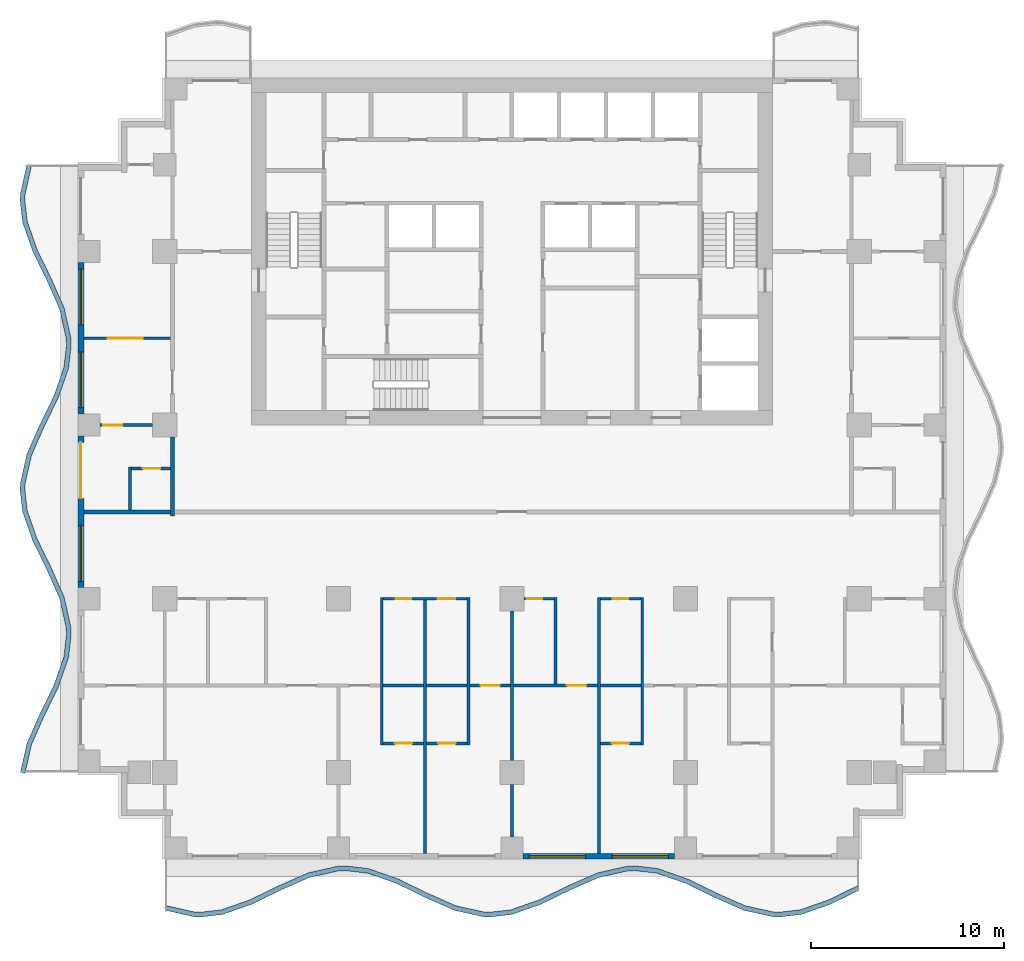
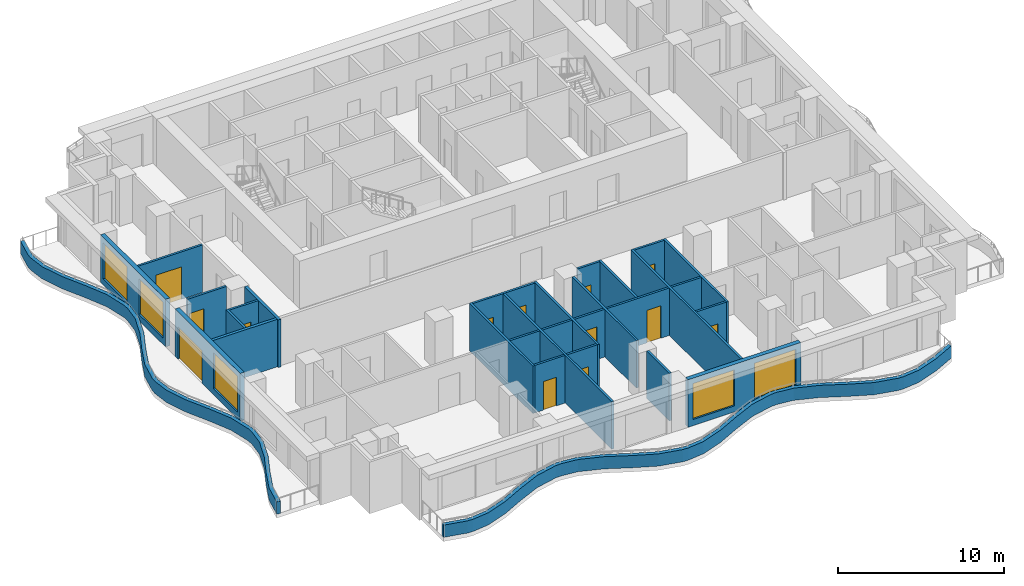
# One storey, part 2 of 10: 30 walls, 13 doors, 5 windows, 18 openings.
"""IFC4 building model written with IfcOpenShell, lengths in metres."""

from ifc_helpers import new_model, si_unit, direction, frame, frame_2d, origin, place, context, subcontext, project, spatial, polyline, rectangle, outline, extrude, material, layer, layer_set, type_object, element, fill, save


model = new_model("IFC4")

# Units and contexts
model_context = context("Model", 3, precision=1e-05, world=origin(), true_north=direction((0.0, 1.0)))
body_context = subcontext(model_context, "Body", "Model", "MODEL_VIEW")
ifc_project = project(units=[si_unit("LENGTHUNIT", "METRE"), si_unit("AREAUNIT", "SQUARE_METRE"), si_unit("VOLUMEUNIT", "CUBIC_METRE"), si_unit("PLANEANGLEUNIT", "RADIAN"), si_unit("MASSUNIT", "GRAM", prefix="KILO")], contexts=[model_context])

# Site, building, storey
site_placement = place(None, origin())
site = spatial("IfcSite", under=ifc_project, at=site_placement, CompositionType="ELEMENT")
building_placement = place(site_placement, origin())
building = spatial("IfcBuilding", under=site, at=building_placement, Name="Orbiselva Terraces", CompositionType="ELEMENT")
storey_placement = place(building_placement, frame((0.0, 0.0, 147.8)))
storey = spatial("IfcBuildingStorey", under=building, at=storey_placement, Name="L37", CompositionType="ELEMENT", Elevation=147.8)

# Walls
ifc_material_1 = material(Name="Concrete C40/50", Category="concrete")
ifc_layer_1 = layer(ifc_material_1, 0.25)
ifc_layer_set_1 = layer_set([ifc_layer_1], Name="Concrete C40/50")
wall_type_1 = type_object("IfcWallType", Name="ENV-PLANTER-250x900", PredefinedType="USERDEFINED", material=ifc_layer_set_1)
wall_1_placement = place(storey_placement, origin())
element("IfcWall", 1, at=wall_1_placement, inside=storey, type_object=wall_type_1, Name="Balcony planter L37 S", ObjectType="PLANTER", PredefinedType="USERDEFINED", context=body_context, shape_type="SweptSolid", body=[
    extrude(outline(polyline([(-18.0, -20.648528), (-16.5, -20.985226), (-16.125, -21.0), (-15.0, -20.869208), (-13.5, -20.344789), (-12.0, -19.612279), (-10.5, -18.951472), (-9.0, -18.614774), (-8.625, -18.6), (-7.5, -18.730792), (-6.0, -19.255211), (-4.5, -19.987721), (-3.0, -20.648528), (-1.5, -20.985226), (-1.125, -21.0), (0.0, -20.869208), (1.5, -20.344789), (3.0, -19.612279), (4.5, -18.951472), (6.0, -18.614774), (6.375, -18.6), (7.5, -18.730792), (9.0, -19.255211), (10.5, -19.987721), (12.0, -20.648528), (13.5, -20.985226), (13.875, -21.0), (15.0, -20.869208), (16.5, -20.344789), (18.0, -19.612279), (17.890297, -19.387634), (16.40356, -20.113667), (14.943629, -20.624078), (13.865428, -20.749429), (13.532565, -20.736315), (12.078508, -20.40993), (10.605286, -19.760919), (9.09644, -19.024089), (7.556371, -18.485662), (6.384572, -18.349429), (5.967435, -18.365863), (4.421492, -18.712874), (2.894714, -19.385477), (1.40356, -20.113667), (-0.056371, -20.624078), (-1.134572, -20.749429), (-1.467435, -20.736315), (-2.921492, -20.40993), (-4.394714, -19.760919), (-5.90356, -19.024089), (-7.443629, -18.485662), (-8.615428, -18.349429), (-9.032565, -18.365863), (-10.578508, -18.712874), (-12.105286, -19.385477), (-13.59644, -20.113667), (-15.056371, -20.624078), (-16.134572, -20.749429), (-16.467435, -20.736315), (-17.945246, -20.404598), (-18.0, -20.648528)])), origin(), (0.0, 0.0, 1.0), 0.9),
])
wall_2_placement = place(storey_placement, origin())
element("IfcWall", 2, at=wall_2_placement, inside=storey, type_object=wall_type_1, Name="Balcony planter L37 W", ObjectType="PLANTER", PredefinedType="USERDEFINED", context=body_context, shape_type="SweptSolid", body=[
    extrude(outline(polyline([(-25.148528, 18.0), (-25.485226, 16.5), (-25.5, 16.125), (-25.369208, 15.0), (-24.844789, 13.5), (-24.112279, 12.0), (-23.451472, 10.5), (-23.114774, 9.0), (-23.1, 8.625), (-23.230792, 7.5), (-23.755211, 6.0), (-24.487721, 4.5), (-25.148528, 3.0), (-25.485226, 1.5), (-25.5, 1.125), (-25.369208, 0.0), (-24.844789, -1.5), (-24.112279, -3.0), (-23.451472, -4.5), (-23.114774, -6.0), (-23.1, -6.375), (-23.230792, -7.5), (-23.755211, -9.0), (-24.487721, -10.5), (-25.148528, -12.0), (-25.485226, -13.5), (-25.241296, -13.554754), (-24.90993, -12.078508), (-24.260919, -10.605286), (-23.524089, -9.09644), (-22.985662, -7.556371), (-22.849429, -6.384572), (-22.865863, -5.967435), (-23.212874, -4.421492), (-23.885477, -2.894714), (-24.613667, -1.40356), (-25.124078, 0.056371), (-25.249429, 1.134572), (-25.236315, 1.467435), (-24.90993, 2.921492), (-24.260919, 4.394714), (-23.524089, 5.90356), (-22.985662, 7.443629), (-22.849429, 8.615428), (-22.865863, 9.032565), (-23.212874, 10.578508), (-23.885477, 12.105286), (-24.613667, 13.59644), (-25.124078, 15.056371), (-25.249429, 16.134572), (-25.236315, 16.467435), (-24.904598, 17.945246), (-25.148528, 18.0)])), origin(), (0.0, 0.0, 1.0), 0.9),
])

# Wall, openings, windows
ifc_material_2 = material(Name="Terracotta cladding on masonry backing", Category="masonry")
ifc_layer_2 = layer(ifc_material_2, 0.3)
ifc_layer_set_2 = layer_set([ifc_layer_2], Name="Terracotta cladding on masonry backing")
wall_type_2 = type_object("IfcWallType", Name="ENV-WALL-TERRACOTTA-300", PredefinedType="SOLIDWALL", material=ifc_layer_set_2)
wall_3_placement = place(storey_placement, frame((8.425, -17.85, 0.0), z_axis=(0.0, 0.0, 1.0), x_axis=(-1.0, 0.0, 0.0)))
wall_3 = element("IfcWall", 3, at=wall_3_placement, inside=storey, type_object=wall_type_2, Name="Facade wall L37 S", PredefinedType="SOLIDWALL", context=body_context, shape_type="SweptSolid", body=[
    extrude(rectangle(XDim=7.85, YDim=0.3, at=frame_2d((3.925, 0.0))), origin(), (0.0, 0.0, 1.0), 3.5),
])
opening_1_placement = place(wall_3_placement, frame((4.625, 0.0, 0.45)))
opening_1 = element("IfcOpeningElement", 4, at=opening_1_placement, cuts=wall_3, Name="Opening WN8", PredefinedType="OPENING", context=body_context, shape_type="SweptSolid", body=[
    extrude(rectangle(XDim=2.9, YDim=2.65, at=frame_2d((1.45, 1.325))), frame((0.0, 0.16, 0.0), z_axis=(0.0, -1.0, 0.0), x_axis=(1.0, 0.0, 0.0)), (0.0, 0.0, 1.0), 0.32),
])
opening_2_placement = place(wall_3_placement, frame((0.325, 0.0, 0.45)))
opening_2 = element("IfcOpeningElement", 5, at=opening_2_placement, cuts=wall_3, Name="Opening WN8", PredefinedType="OPENING", context=body_context, shape_type="SweptSolid", body=[
    extrude(rectangle(XDim=2.9, YDim=2.65, at=frame_2d((1.45, 1.325))), frame((0.0, 0.16, 0.0), z_axis=(0.0, -1.0, 0.0), x_axis=(1.0, 0.0, 0.0)), (0.0, 0.0, 1.0), 0.32),
])
ifc_material_3 = material(Name="Clear low-e glazing in aluminium frame", Category="aluminium")
window_type = type_object("IfcWindowType", Name="WINDOW 2900 X 2650 S450", PartitioningType="TRIPLE_PANEL_VERTICAL", PredefinedType="WINDOW", material=ifc_material_3)
window_1_placement = place(opening_1_placement, origin())
window_1 = element("IfcWindow", 6, at=window_1_placement, inside=storey, type_object=window_type, Name="Window L37 S", OverallHeight=2.65, OverallWidth=2.9, PartitioningType="SINGLE_PANEL", PredefinedType="WINDOW", context=body_context, shape_type="SweptSolid", body=[
    extrude(rectangle(XDim=2.9, YDim=2.65, at=frame_2d((1.45, 1.325))), frame((0.0, 0.03, 0.0), z_axis=(0.0, -1.0, 0.0), x_axis=(1.0, 0.0, 0.0)), (0.0, 0.0, 1.0), 0.06),
])
fill(opening_1, window_1)
window_2_placement = place(opening_2_placement, origin())
window_2 = element("IfcWindow", 7, at=window_2_placement, inside=storey, type_object=window_type, Name="Window L37 S", OverallHeight=2.65, OverallWidth=2.9, PartitioningType="SINGLE_PANEL", PredefinedType="WINDOW", context=body_context, shape_type="SweptSolid", body=[
    extrude(rectangle(XDim=2.9, YDim=2.65, at=frame_2d((1.45, 1.325))), frame((0.0, 0.03, 0.0), z_axis=(0.0, -1.0, 0.0), x_axis=(1.0, 0.0, 0.0)), (0.0, 0.0, 1.0), 0.06),
])
fill(opening_2, window_2)

wall_4_placement = place(storey_placement, frame((-22.35, 5.075, 0.0), z_axis=(0.0, 0.0, 1.0), x_axis=(0.0, 1.0, 0.0)))
wall_4 = element("IfcWall", 8, at=wall_4_placement, inside=storey, type_object=wall_type_2, Name="Facade wall L37 W", PredefinedType="SOLIDWALL", context=body_context, shape_type="SweptSolid", body=[
    extrude(rectangle(XDim=7.85, YDim=0.3, at=frame_2d((3.925, 0.0))), origin(), (0.0, 0.0, 1.0), 3.5),
])
opening_3_placement = place(wall_4_placement, frame((4.625, 0.0, 0.45)))
opening_3 = element("IfcOpeningElement", 9, at=opening_3_placement, cuts=wall_4, Name="Opening WN8", PredefinedType="OPENING", context=body_context, shape_type="SweptSolid", body=[
    extrude(rectangle(XDim=2.9, YDim=2.65, at=frame_2d((1.45, 1.325))), frame((0.0, 0.16, 0.0), z_axis=(0.0, -1.0, 0.0), x_axis=(1.0, 0.0, 0.0)), (0.0, 0.0, 1.0), 0.32),
])
opening_4_placement = place(wall_4_placement, frame((0.325, 0.0, 0.45)))
opening_4 = element("IfcOpeningElement", 10, at=opening_4_placement, cuts=wall_4, Name="Opening WN8", PredefinedType="OPENING", context=body_context, shape_type="SweptSolid", body=[
    extrude(rectangle(XDim=2.9, YDim=2.65, at=frame_2d((1.45, 1.325))), frame((0.0, 0.16, 0.0), z_axis=(0.0, -1.0, 0.0), x_axis=(1.0, 0.0, 0.0)), (0.0, 0.0, 1.0), 0.32),
])
window_3_placement = place(opening_3_placement, origin())
window_3 = element("IfcWindow", 11, at=window_3_placement, inside=storey, type_object=window_type, Name="Window L37 W", OverallHeight=2.65, OverallWidth=2.9, PartitioningType="SINGLE_PANEL", PredefinedType="WINDOW", context=body_context, shape_type="SweptSolid", body=[
    extrude(rectangle(XDim=2.9, YDim=2.65, at=frame_2d((1.45, 1.325))), frame((0.0, 0.03, 0.0), z_axis=(0.0, -1.0, 0.0), x_axis=(1.0, 0.0, 0.0)), (0.0, 0.0, 1.0), 0.06),
])
fill(opening_3, window_3)
window_4_placement = place(opening_4_placement, origin())
window_4 = element("IfcWindow", 12, at=window_4_placement, inside=storey, type_object=window_type, Name="Window L37 W", OverallHeight=2.65, OverallWidth=2.9, PartitioningType="SINGLE_PANEL", PredefinedType="WINDOW", context=body_context, shape_type="SweptSolid", body=[
    extrude(rectangle(XDim=2.9, YDim=2.65, at=frame_2d((1.45, 1.325))), frame((0.0, 0.03, 0.0), z_axis=(0.0, -1.0, 0.0), x_axis=(1.0, 0.0, 0.0)), (0.0, 0.0, 1.0), 0.06),
])
fill(opening_4, window_4)

# Wall, openings, door, window
wall_5_placement = place(storey_placement, frame((-22.35, -3.925, 0.0), z_axis=(0.0, 0.0, 1.0), x_axis=(0.0, 1.0, 0.0)))
wall_5 = element("IfcWall", 13, at=wall_5_placement, inside=storey, type_object=wall_type_2, Name="Facade wall L37 W", PredefinedType="SOLIDWALL", context=body_context, shape_type="SweptSolid", body=[
    extrude(rectangle(XDim=7.85, YDim=0.3, at=frame_2d((3.925, 0.0))), origin(), (0.0, 0.0, 1.0), 3.5),
])
opening_5_placement = place(wall_5_placement, frame((4.625, 0.0, 0.0)))
opening_5 = element("IfcOpeningElement", 14, at=opening_5_placement, cuts=wall_5, Name="Opening Z3-C-E11", PredefinedType="OPENING", context=body_context, shape_type="SweptSolid", body=[
    extrude(rectangle(XDim=2.9, YDim=2.4, at=frame_2d((1.45, 1.2))), frame((0.0, 0.16, 0.0), z_axis=(0.0, -1.0, 0.0), x_axis=(1.0, 0.0, 0.0)), (0.0, 0.0, 1.0), 0.32),
])
opening_6_placement = place(wall_5_placement, frame((0.325, 0.0, 0.45)))
opening_6 = element("IfcOpeningElement", 15, at=opening_6_placement, cuts=wall_5, Name="Opening WN8", PredefinedType="OPENING", context=body_context, shape_type="SweptSolid", body=[
    extrude(rectangle(XDim=2.9, YDim=2.65, at=frame_2d((1.45, 1.325))), frame((0.0, 0.16, 0.0), z_axis=(0.0, -1.0, 0.0), x_axis=(1.0, 0.0, 0.0)), (0.0, 0.0, 1.0), 0.32),
])
door_type_1 = type_object("IfcDoorType", Name="BALCONY DOOR 2900 X 2400", OperationType="DOUBLE_DOOR_SLIDING", PredefinedType="DOOR", material=ifc_material_3)
door_1_placement = place(opening_5_placement, origin())
door_1 = element("IfcDoor", 16, at=door_1_placement, inside=storey, type_object=door_type_1, Name="Z3-C-E11", OperationType="SINGLE_SWING_LEFT", OverallHeight=2.4, OverallWidth=2.9, PredefinedType="DOOR", context=body_context, shape_type="SweptSolid", body=[
    extrude(rectangle(XDim=2.9, YDim=2.4, at=frame_2d((1.45, 1.2))), frame((0.0, 0.025, 0.0), z_axis=(0.0, -1.0, 0.0), x_axis=(1.0, 0.0, 0.0)), (0.0, 0.0, 1.0), 0.05),
])
fill(opening_5, door_1)
window_5_placement = place(opening_6_placement, origin())
window_5 = element("IfcWindow", 17, at=window_5_placement, inside=storey, type_object=window_type, Name="Window L37 W", OverallHeight=2.65, OverallWidth=2.9, PartitioningType="SINGLE_PANEL", PredefinedType="WINDOW", context=body_context, shape_type="SweptSolid", body=[
    extrude(rectangle(XDim=2.9, YDim=2.65, at=frame_2d((1.45, 1.325))), frame((0.0, 0.03, 0.0), z_axis=(0.0, -1.0, 0.0), x_axis=(1.0, 0.0, 0.0)), (0.0, 0.0, 1.0), 0.06),
])
fill(opening_6, window_5)

# Wall
ifc_material_4 = material(Name="Plasterboard on steel stud partition", Category="steel")
ifc_layer_3 = layer(ifc_material_4, 0.2)
ifc_layer_set_3 = layer_set([ifc_layer_3], Name="Plasterboard on steel stud partition")
wall_type_3 = type_object("IfcWallType", Name="UNIT-ENTRANCE-WALL-200", PredefinedType="PARTITIONING", material=ifc_layer_set_3)
wall_6_placement = place(storey_placement, frame((-17.6, -0.2, 0.0), z_axis=(0.0, 0.0, 1.0), x_axis=(0.0, 1.0, 0.0)))
element("IfcWall", 18, at=wall_6_placement, inside=storey, type_object=wall_type_3, Name="PARTITION L37-038", PredefinedType="PARTITIONING", context=body_context, shape_type="SweptSolid", body=[
    extrude(rectangle(XDim=4.075, YDim=0.2, at=frame_2d((2.0375, 0.0))), origin(), (0.0, 0.0, 1.0), 3.5),
])

# Wall, opening, door
ifc_layer_4 = layer(ifc_material_4, 0.15)
ifc_layer_set_4 = layer_set([ifc_layer_4], Name="Plasterboard on steel stud partition")
wall_type_4 = type_object("IfcWallType", Name="UNIT-PARTITION-150", PredefinedType="PARTITIONING", material=ifc_layer_set_4)
wall_7_placement = place(storey_placement, frame((-6.675, -12.0, 0.0), z_axis=(0.0, 0.0, 1.0), x_axis=(1.0, 0.0, 0.0)))
wall_7 = element("IfcWall", 19, at=wall_7_placement, inside=storey, type_object=wall_type_4, Name="PARTITION L37-001", PredefinedType="PARTITIONING", context=body_context, shape_type="SweptSolid", body=[
    extrude(rectangle(XDim=2.1, YDim=0.15, at=frame_2d((1.05, 0.0))), origin(), (0.0, 0.0, 1.0), 3.5),
])
opening_7_placement = place(wall_7_placement, frame((0.6, 0.0, 0.0)))
opening_7 = element("IfcOpeningElement", 20, at=opening_7_placement, cuts=wall_7, Name="Opening Z3-C-32", PredefinedType="OPENING", context=body_context, shape_type="SweptSolid", body=[
    extrude(rectangle(XDim=0.9, YDim=2.1, at=frame_2d((0.45, 1.05))), frame((0.0, 0.085, 0.0), z_axis=(0.0, -1.0, 0.0), x_axis=(1.0, 0.0, 0.0)), (0.0, 0.0, 1.0), 0.17),
])
ifc_material_5 = material(Name="Painted timber door leaf", Category="wood")
door_type_2 = type_object("IfcDoorType", Name="BATH DOOR 900", OperationType="NOTDEFINED", PredefinedType="DOOR", material=ifc_material_5)
door_2_placement = place(opening_7_placement, origin())
door_2 = element("IfcDoor", 21, at=door_2_placement, inside=storey, type_object=door_type_2, Name="Z3-C-32", OperationType="SINGLE_SWING_LEFT", OverallHeight=2.1, OverallWidth=0.9, PredefinedType="DOOR", context=body_context, shape_type="SweptSolid", body=[
    extrude(rectangle(XDim=0.9, YDim=2.1, at=frame_2d((0.45, 1.05))), frame((0.0, 0.025, 0.0), z_axis=(0.0, -1.0, 0.0), x_axis=(1.0, 0.0, 0.0)), (0.0, 0.0, 1.0), 0.05),
])
fill(opening_7, door_2)

wall_8_placement = place(storey_placement, frame((-4.425, -12.0, 0.0), z_axis=(0.0, 0.0, 1.0), x_axis=(1.0, 0.0, 0.0)))
wall_8 = element("IfcWall", 22, at=wall_8_placement, inside=storey, type_object=wall_type_4, Name="PARTITION L37-002", PredefinedType="PARTITIONING", context=body_context, shape_type="SweptSolid", body=[
    extrude(rectangle(XDim=2.1, YDim=0.15, at=frame_2d((1.05, 0.0))), origin(), (0.0, 0.0, 1.0), 3.5),
])
opening_8_placement = place(wall_8_placement, frame((0.6, 0.0, 0.0)))
opening_8 = element("IfcOpeningElement", 23, at=opening_8_placement, cuts=wall_8, Name="Opening Z3-C-30", PredefinedType="OPENING", context=body_context, shape_type="SweptSolid", body=[
    extrude(rectangle(XDim=0.9, YDim=2.1, at=frame_2d((0.45, 1.05))), frame((0.0, 0.085, 0.0), z_axis=(0.0, -1.0, 0.0), x_axis=(1.0, 0.0, 0.0)), (0.0, 0.0, 1.0), 0.17),
])
door_3_placement = place(opening_8_placement, origin())
door_3 = element("IfcDoor", 24, at=door_3_placement, inside=storey, type_object=door_type_2, Name="Z3-C-30", OperationType="SINGLE_SWING_RIGHT", OverallHeight=2.1, OverallWidth=0.9, PredefinedType="DOOR", context=body_context, shape_type="SweptSolid", body=[
    extrude(rectangle(XDim=0.9, YDim=2.1, at=frame_2d((0.45, 1.05))), frame((0.0, 0.025, 0.0), z_axis=(0.0, -1.0, 0.0), x_axis=(1.0, 0.0, 0.0)), (0.0, 0.0, 1.0), 0.05),
])
fill(opening_8, door_3)

wall_9_placement = place(storey_placement, frame((4.575, -12.0, 0.0), z_axis=(0.0, 0.0, 1.0), x_axis=(1.0, 0.0, 0.0)))
wall_9 = element("IfcWall", 25, at=wall_9_placement, inside=storey, type_object=wall_type_4, Name="PARTITION L37-003", PredefinedType="PARTITIONING", context=body_context, shape_type="SweptSolid", body=[
    extrude(rectangle(XDim=2.1, YDim=0.15, at=frame_2d((1.05, 0.0))), origin(), (0.0, 0.0, 1.0), 3.5),
])
opening_9_placement = place(wall_9_placement, frame((0.6, 0.0, 0.0)))
opening_9 = element("IfcOpeningElement", 26, at=opening_9_placement, cuts=wall_9, Name="Opening Z3-C-27", PredefinedType="OPENING", context=body_context, shape_type="SweptSolid", body=[
    extrude(rectangle(XDim=0.9, YDim=2.1, at=frame_2d((0.45, 1.05))), frame((0.0, 0.085, 0.0), z_axis=(0.0, -1.0, 0.0), x_axis=(1.0, 0.0, 0.0)), (0.0, 0.0, 1.0), 0.17),
])
door_4_placement = place(opening_9_placement, origin())
door_4 = element("IfcDoor", 27, at=door_4_placement, inside=storey, type_object=door_type_2, Name="Z3-C-27", OperationType="SINGLE_SWING_LEFT", OverallHeight=2.1, OverallWidth=0.9, PredefinedType="DOOR", context=body_context, shape_type="SweptSolid", body=[
    extrude(rectangle(XDim=0.9, YDim=2.1, at=frame_2d((0.45, 1.05))), frame((0.0, 0.025, 0.0), z_axis=(0.0, -1.0, 0.0), x_axis=(1.0, 0.0, 0.0)), (0.0, 0.0, 1.0), 0.05),
])
fill(opening_9, door_4)

# Walls
for number, where, z_axis, x_axis, name in (
    (28, (-6.675, -9.0, 0.0), (0.0, 0.0, 1.0), (1.0, 0.0, 0.0), "PARTITION L37-008"),
    (29, (-4.425, -9.0, 0.0), (0.0, 0.0, 1.0), (1.0, 0.0, 0.0), "PARTITION L37-009"),
):
    element("IfcWall", number, at=place(storey_placement, frame(where, z_axis=z_axis, x_axis=x_axis)), inside=storey, type_object=wall_type_4, Name=name, PredefinedType="PARTITIONING", context=body_context, shape_type="SweptSolid", body=[
        extrude(rectangle(XDim=2.1, YDim=0.15, at=frame_2d((1.05, 0.0))), origin(), (0.0, 0.0, 1.0), 3.5),
    ])

# Wall, opening, door
wall_10_placement = place(storey_placement, frame((-0.075, -9.0, 0.0), z_axis=(0.0, 0.0, 1.0), x_axis=(-1.0, 0.0, 0.0)))
wall_10 = element("IfcWall", 30, at=wall_10_placement, inside=storey, type_object=wall_type_4, Name="PARTITION L37-010", PredefinedType="PARTITIONING", context=body_context, shape_type="SweptSolid", body=[
    extrude(rectangle(XDim=2.1, YDim=0.15, at=frame_2d((1.05, 0.0))), origin(), (0.0, 0.0, 1.0), 3.5),
])
opening_10_placement = place(wall_10_placement, frame((0.55, 0.0, 0.0)))
opening_10 = element("IfcOpeningElement", 31, at=opening_10_placement, cuts=wall_10, Name="Opening Z3-C-29", PredefinedType="OPENING", context=body_context, shape_type="SweptSolid", body=[
    extrude(rectangle(XDim=1.0, YDim=2.4, at=frame_2d((0.5, 1.2))), frame((0.0, 0.085, 0.0), z_axis=(0.0, -1.0, 0.0), x_axis=(1.0, 0.0, 0.0)), (0.0, 0.0, 1.0), 0.17),
])
door_type_3 = type_object("IfcDoorType", Name="ROOM DOOR 1000", OperationType="NOTDEFINED", PredefinedType="DOOR", material=ifc_material_5)
door_5_placement = place(opening_10_placement, origin())
door_5 = element("IfcDoor", 32, at=door_5_placement, inside=storey, type_object=door_type_3, Name="Z3-C-29", OperationType="SINGLE_SWING_RIGHT", OverallHeight=2.4, OverallWidth=1.0, PredefinedType="DOOR", context=body_context, shape_type="SweptSolid", body=[
    extrude(rectangle(XDim=1.0, YDim=2.4, at=frame_2d((0.5, 1.2))), frame((0.0, 0.025, 0.0), z_axis=(0.0, -1.0, 0.0), x_axis=(1.0, 0.0, 0.0)), (0.0, 0.0, 1.0), 0.05),
])
fill(opening_10, door_5)

wall_11_placement = place(storey_placement, frame((4.425, -9.0, 0.0), z_axis=(0.0, 0.0, 1.0), x_axis=(-1.0, 0.0, 0.0)))
wall_11 = element("IfcWall", 33, at=wall_11_placement, inside=storey, type_object=wall_type_4, Name="PARTITION L37-011", PredefinedType="PARTITIONING", context=body_context, shape_type="SweptSolid", body=[
    extrude(rectangle(XDim=4.35, YDim=0.15, at=frame_2d((2.175, 0.0))), origin(), (0.0, 0.0, 1.0), 3.5),
])
opening_11_placement = place(wall_11_placement, frame((0.575, 0.0, 0.0)))
opening_11 = element("IfcOpeningElement", 34, at=opening_11_placement, cuts=wall_11, Name="Opening Z3-C-28", PredefinedType="OPENING", context=body_context, shape_type="SweptSolid", body=[
    extrude(rectangle(XDim=1.0, YDim=2.4, at=frame_2d((0.5, 1.2))), frame((0.0, 0.085, 0.0), z_axis=(0.0, -1.0, 0.0), x_axis=(1.0, 0.0, 0.0)), (0.0, 0.0, 1.0), 0.17),
])
door_6_placement = place(opening_11_placement, origin())
door_6 = element("IfcDoor", 35, at=door_6_placement, inside=storey, type_object=door_type_3, Name="Z3-C-28", OperationType="SINGLE_SWING_LEFT", OverallHeight=2.4, OverallWidth=1.0, PredefinedType="DOOR", context=body_context, shape_type="SweptSolid", body=[
    extrude(rectangle(XDim=1.0, YDim=2.4, at=frame_2d((0.5, 1.2))), frame((0.0, 0.025, 0.0), z_axis=(0.0, -1.0, 0.0), x_axis=(1.0, 0.0, 0.0)), (0.0, 0.0, 1.0), 0.05),
])
fill(opening_11, door_6)

# Wall
wall_12_placement = place(storey_placement, frame((4.575, -9.0, 0.0), z_axis=(0.0, 0.0, 1.0), x_axis=(1.0, 0.0, 0.0)))
element("IfcWall", 36, at=wall_12_placement, inside=storey, type_object=wall_type_4, Name="PARTITION L37-012", PredefinedType="PARTITIONING", context=body_context, shape_type="SweptSolid", body=[
    extrude(rectangle(XDim=2.1, YDim=0.15, at=frame_2d((1.05, 0.0))), origin(), (0.0, 0.0, 1.0), 3.5),
])

# Wall, openings, doors
wall_13_placement = place(storey_placement, frame((-2.325, -4.5, 0.0), z_axis=(0.0, 0.0, 1.0), x_axis=(-1.0, 0.0, 0.0)))
wall_13 = element("IfcWall", 37, at=wall_13_placement, inside=storey, type_object=wall_type_4, Name="PARTITION L37-017", PredefinedType="PARTITIONING", context=body_context, shape_type="SweptSolid", body=[
    extrude(rectangle(XDim=4.35, YDim=0.15, at=frame_2d((2.175, 0.0))), origin(), (0.0, 0.0, 1.0), 3.5),
])
opening_12_placement = place(wall_13_placement, frame((0.625, 0.0, 0.0)))
opening_12 = element("IfcOpeningElement", 38, at=opening_12_placement, cuts=wall_13, Name="Opening Z3-C-18", PredefinedType="OPENING", context=body_context, shape_type="SweptSolid", body=[
    extrude(rectangle(XDim=0.9, YDim=2.1, at=frame_2d((0.45, 1.05))), frame((0.0, 0.085, 0.0), z_axis=(0.0, -1.0, 0.0), x_axis=(1.0, 0.0, 0.0)), (0.0, 0.0, 1.0), 0.17),
])
opening_13_placement = place(wall_13_placement, frame((2.9, 0.0, 0.0)))
opening_13 = element("IfcOpeningElement", 39, at=opening_13_placement, cuts=wall_13, Name="Opening Z3-C-19", PredefinedType="OPENING", context=body_context, shape_type="SweptSolid", body=[
    extrude(rectangle(XDim=0.8, YDim=2.0, at=frame_2d((0.4, 1.0))), frame((0.0, 0.085, 0.0), z_axis=(0.0, -1.0, 0.0), x_axis=(1.0, 0.0, 0.0)), (0.0, 0.0, 1.0), 0.17),
])
door_type_4 = type_object("IfcDoorType", Name="SERVICE DOOR 900", OperationType="NOTDEFINED", PredefinedType="DOOR", material=ifc_material_5)
door_7_placement = place(opening_12_placement, origin())
door_7 = element("IfcDoor", 40, at=door_7_placement, inside=storey, type_object=door_type_4, Name="Z3-C-18", OperationType="SINGLE_SWING_LEFT", OverallHeight=2.1, OverallWidth=0.9, PredefinedType="DOOR", context=body_context, shape_type="SweptSolid", body=[
    extrude(rectangle(XDim=0.9, YDim=2.1, at=frame_2d((0.45, 1.05))), frame((0.0, 0.025, 0.0), z_axis=(0.0, -1.0, 0.0), x_axis=(1.0, 0.0, 0.0)), (0.0, 0.0, 1.0), 0.05),
])
fill(opening_12, door_7)
door_type_5 = type_object("IfcDoorType", Name="STORE DOOR 800", OperationType="NOTDEFINED", PredefinedType="DOOR", material=ifc_material_5)
door_8_placement = place(opening_13_placement, origin())
door_8 = element("IfcDoor", 41, at=door_8_placement, inside=storey, type_object=door_type_5, Name="Z3-C-19", OperationType="SINGLE_SWING_RIGHT", OverallHeight=2.0, OverallWidth=0.8, PredefinedType="DOOR", context=body_context, shape_type="SweptSolid", body=[
    extrude(rectangle(XDim=0.8, YDim=2.0, at=frame_2d((0.4, 1.0))), frame((0.0, 0.025, 0.0), z_axis=(0.0, -1.0, 0.0), x_axis=(1.0, 0.0, 0.0)), (0.0, 0.0, 1.0), 0.05),
])
fill(opening_13, door_8)

# Wall, opening, door
wall_14_placement = place(storey_placement, frame((2.175, -4.5, 0.0), z_axis=(0.0, 0.0, 1.0), x_axis=(-1.0, 0.0, 0.0)))
wall_14 = element("IfcWall", 42, at=wall_14_placement, inside=storey, type_object=wall_type_4, Name="PARTITION L37-018", PredefinedType="PARTITIONING", context=body_context, shape_type="SweptSolid", body=[
    extrude(rectangle(XDim=1.55, YDim=0.15, at=frame_2d((0.775, 0.0))), origin(), (0.0, 0.0, 1.0), 3.5),
])
opening_14_placement = place(wall_14_placement, frame((0.6, 0.0, 0.0)))
opening_14 = element("IfcOpeningElement", 43, at=opening_14_placement, cuts=wall_14, Name="Opening Z3-C-17", PredefinedType="OPENING", context=body_context, shape_type="SweptSolid", body=[
    extrude(rectangle(XDim=0.8, YDim=2.0, at=frame_2d((0.4, 1.0))), frame((0.0, 0.085, 0.0), z_axis=(0.0, -1.0, 0.0), x_axis=(1.0, 0.0, 0.0)), (0.0, 0.0, 1.0), 0.17),
])
door_9_placement = place(opening_14_placement, origin())
door_9 = element("IfcDoor", 44, at=door_9_placement, inside=storey, type_object=door_type_5, Name="Z3-C-17", OperationType="SINGLE_SWING_RIGHT", OverallHeight=2.0, OverallWidth=0.8, PredefinedType="DOOR", context=body_context, shape_type="SweptSolid", body=[
    extrude(rectangle(XDim=0.8, YDim=2.0, at=frame_2d((0.4, 1.0))), frame((0.0, 0.025, 0.0), z_axis=(0.0, -1.0, 0.0), x_axis=(1.0, 0.0, 0.0)), (0.0, 0.0, 1.0), 0.05),
])
fill(opening_14, door_9)

wall_15_placement = place(storey_placement, frame((6.675, -4.5, 0.0), z_axis=(0.0, 0.0, 1.0), x_axis=(-1.0, 0.0, 0.0)))
wall_15 = element("IfcWall", 45, at=wall_15_placement, inside=storey, type_object=wall_type_4, Name="PARTITION L37-019", PredefinedType="PARTITIONING", context=body_context, shape_type="SweptSolid", body=[
    extrude(rectangle(XDim=2.1, YDim=0.15, at=frame_2d((1.05, 0.0))), origin(), (0.0, 0.0, 1.0), 3.5),
])
opening_15_placement = place(wall_15_placement, frame((0.65, 0.0, 0.0)))
opening_15 = element("IfcOpeningElement", 46, at=opening_15_placement, cuts=wall_15, Name="Opening Z3-C-16", PredefinedType="OPENING", context=body_context, shape_type="SweptSolid", body=[
    extrude(rectangle(XDim=0.8, YDim=2.0, at=frame_2d((0.4, 1.0))), frame((0.0, 0.085, 0.0), z_axis=(0.0, -1.0, 0.0), x_axis=(1.0, 0.0, 0.0)), (0.0, 0.0, 1.0), 0.17),
])
door_10_placement = place(opening_15_placement, origin())
door_10 = element("IfcDoor", 47, at=door_10_placement, inside=storey, type_object=door_type_5, Name="Z3-C-16", OperationType="SINGLE_SWING_RIGHT", OverallHeight=2.0, OverallWidth=0.8, PredefinedType="DOOR", context=body_context, shape_type="SweptSolid", body=[
    extrude(rectangle(XDim=0.8, YDim=2.0, at=frame_2d((0.4, 1.0))), frame((0.0, 0.025, 0.0), z_axis=(0.0, -1.0, 0.0), x_axis=(1.0, 0.0, 0.0)), (0.0, 0.0, 1.0), 0.05),
])
fill(opening_15, door_10)

wall_16_placement = place(storey_placement, frame((-17.7, 2.25, 0.0), z_axis=(0.0, 0.0, 1.0), x_axis=(-1.0, 0.0, 0.0)))
wall_16 = element("IfcWall", 48, at=wall_16_placement, inside=storey, type_object=wall_type_4, Name="PARTITION L37-025", PredefinedType="PARTITIONING", context=body_context, shape_type="SweptSolid", body=[
    extrude(rectangle(XDim=2.03, YDim=0.15, at=frame_2d((1.015, 0.0))), origin(), (0.0, 0.0, 1.0), 3.5),
])
opening_16_placement = place(wall_16_placement, frame((0.53, 0.0, 0.0)))
opening_16 = element("IfcOpeningElement", 49, at=opening_16_placement, cuts=wall_16, Name="Opening Z3-C-04", PredefinedType="OPENING", context=body_context, shape_type="SweptSolid", body=[
    extrude(rectangle(XDim=0.9, YDim=2.1, at=frame_2d((0.45, 1.05))), frame((0.0, 0.085, 0.0), z_axis=(0.0, -1.0, 0.0), x_axis=(1.0, 0.0, 0.0)), (0.0, 0.0, 1.0), 0.17),
])
door_11_placement = place(opening_16_placement, origin())
door_11 = element("IfcDoor", 50, at=door_11_placement, inside=storey, type_object=door_type_2, Name="Z3-C-04", OperationType="SINGLE_SWING_LEFT", OverallHeight=2.1, OverallWidth=0.9, PredefinedType="DOOR", context=body_context, shape_type="SweptSolid", body=[
    extrude(rectangle(XDim=0.9, YDim=2.1, at=frame_2d((0.45, 1.05))), frame((0.0, 0.025, 0.0), z_axis=(0.0, -1.0, 0.0), x_axis=(1.0, 0.0, 0.0)), (0.0, 0.0, 1.0), 0.05),
])
fill(opening_16, door_11)

wall_17_placement = place(storey_placement, frame((-18.625, 4.5, 0.0), z_axis=(0.0, 0.0, 1.0), x_axis=(-1.0, 0.0, 0.0)))
wall_17 = element("IfcWall", 51, at=wall_17_placement, inside=storey, type_object=wall_type_4, Name="PARTITION L37-027", PredefinedType="PARTITIONING", context=body_context, shape_type="SweptSolid", body=[
    extrude(rectangle(XDim=2.725, YDim=0.15, at=frame_2d((1.3625, 0.0))), origin(), (0.0, 0.0, 1.0), 3.5),
])
opening_17_placement = place(wall_17_placement, frame((1.575, 0.0, 0.0)))
opening_17 = element("IfcOpeningElement", 52, at=opening_17_placement, cuts=wall_17, Name="Opening Z3-C-03", PredefinedType="OPENING", context=body_context, shape_type="SweptSolid", body=[
    extrude(rectangle(XDim=1.0, YDim=2.4, at=frame_2d((0.5, 1.2))), frame((0.0, 0.085, 0.0), z_axis=(0.0, -1.0, 0.0), x_axis=(1.0, 0.0, 0.0)), (0.0, 0.0, 1.0), 0.17),
])
door_12_placement = place(opening_17_placement, origin())
door_12 = element("IfcDoor", 53, at=door_12_placement, inside=storey, type_object=door_type_3, Name="Z3-C-03", OperationType="SINGLE_SWING_RIGHT", OverallHeight=2.4, OverallWidth=1.0, PredefinedType="DOOR", context=body_context, shape_type="SweptSolid", body=[
    extrude(rectangle(XDim=1.0, YDim=2.4, at=frame_2d((0.5, 1.2))), frame((0.0, 0.025, 0.0), z_axis=(0.0, -1.0, 0.0), x_axis=(1.0, 0.0, 0.0)), (0.0, 0.0, 1.0), 0.05),
])
fill(opening_17, door_12)

wall_18_placement = place(storey_placement, frame((-22.2, 9.0, 0.0), z_axis=(0.0, 0.0, 1.0), x_axis=(1.0, 0.0, 0.0)))
wall_18 = element("IfcWall", 54, at=wall_18_placement, inside=storey, type_object=wall_type_4, Name="PARTITION L37-029", PredefinedType="PARTITIONING", context=body_context, shape_type="SweptSolid", body=[
    extrude(rectangle(XDim=4.5, YDim=0.15, at=frame_2d((2.25, 0.0))), origin(), (0.0, 0.0, 1.0), 3.5),
])
opening_18_placement = place(wall_18_placement, frame((1.25, 0.0, 0.0)))
opening_18 = element("IfcOpeningElement", 55, at=opening_18_placement, cuts=wall_18, Name="Opening Z3-C-06", PredefinedType="OPENING", context=body_context, shape_type="SweptSolid", body=[
    extrude(rectangle(XDim=1.8, YDim=2.4, at=frame_2d((0.9, 1.2))), frame((0.0, 0.085, 0.0), z_axis=(0.0, -1.0, 0.0), x_axis=(1.0, 0.0, 0.0)), (0.0, 0.0, 1.0), 0.17),
])
door_type_6 = type_object("IfcDoorType", Name="DOUBLE DOOR 1800", OperationType="NOTDEFINED", PredefinedType="DOOR", material=ifc_material_5)
door_13_placement = place(opening_18_placement, origin())
door_13 = element("IfcDoor", 56, at=door_13_placement, inside=storey, type_object=door_type_6, Name="Z3-C-06", OperationType="DOUBLE_DOOR_SINGLE_SWING", OverallHeight=2.4, OverallWidth=1.8, PredefinedType="DOOR", context=body_context, shape_type="SweptSolid", body=[
    extrude(rectangle(XDim=1.8, YDim=2.4, at=frame_2d((0.9, 1.2))), frame((0.0, 0.025, 0.0), z_axis=(0.0, -1.0, 0.0), x_axis=(1.0, 0.0, 0.0)), (0.0, 0.0, 1.0), 0.05),
])
fill(opening_18, door_13)

# Walls
wall_19_placement = place(storey_placement, frame((-19.805, 0.1, 0.0), z_axis=(0.0, 0.0, 1.0), x_axis=(0.0, 1.0, 0.0)))
element("IfcWall", 57, at=wall_19_placement, inside=storey, type_object=wall_type_4, Name="PARTITION L37-035", PredefinedType="PARTITIONING", context=body_context, shape_type="SweptSolid", body=[
    extrude(rectangle(XDim=2.225, YDim=0.15, at=frame_2d((1.1125, 0.0))), origin(), (0.0, 0.0, 1.0), 3.5),
])
wall_20_placement = place(storey_placement, frame((-6.75, -12.075, 0.0), z_axis=(0.0, 0.0, 1.0), x_axis=(0.0, 1.0, 0.0)))
element("IfcWall", 58, at=wall_20_placement, inside=storey, type_object=wall_type_4, Name="PARTITION L37-046", PredefinedType="PARTITIONING", context=body_context, shape_type="SweptSolid", body=[
    extrude(rectangle(XDim=7.65, YDim=0.15, at=frame_2d((3.825, 0.0))), origin(), (0.0, 0.0, 1.0), 3.5),
])
wall_21_placement = place(storey_placement, frame((-4.5, -17.7, 0.0), z_axis=(0.0, 0.0, 1.0), x_axis=(0.0, 1.0, 0.0)))
element("IfcWall", 59, at=wall_21_placement, inside=storey, type_object=wall_type_4, Name="PARTITION L37-047", PredefinedType="PARTITIONING", context=body_context, shape_type="SweptSolid", body=[
    extrude(rectangle(XDim=13.125, YDim=0.15, at=frame_2d((6.5625, 0.0))), origin(), (0.0, 0.0, 1.0), 3.5),
])
wall_22_placement = place(storey_placement, frame((-2.25, -12.075, 0.0), z_axis=(0.0, 0.0, 1.0), x_axis=(0.0, 1.0, 0.0)))
element("IfcWall", 60, at=wall_22_placement, inside=storey, type_object=wall_type_4, Name="PARTITION L37-048", PredefinedType="PARTITIONING", context=body_context, shape_type="SweptSolid", body=[
    extrude(rectangle(XDim=7.65, YDim=0.15, at=frame_2d((3.825, 0.0))), origin(), (0.0, 0.0, 1.0), 3.5),
])
wall_23_placement = place(storey_placement, frame((0.0, -16.85, 0.0), z_axis=(0.0, 0.0, 1.0), x_axis=(0.0, 1.0, 0.0)))
element("IfcWall", 61, at=wall_23_placement, inside=storey, type_object=wall_type_4, Name="PARTITION L37-049", PredefinedType="PARTITIONING", context=body_context, shape_type="SweptSolid", body=[
    extrude(rectangle(XDim=2.725, YDim=0.15, at=frame_2d((1.3625, 0.0))), origin(), (0.0, 0.0, 1.0), 3.5),
])
wall_24_placement = place(storey_placement, frame((0.0, -12.875, 0.0), z_axis=(0.0, 0.0, 1.0), x_axis=(0.0, 1.0, 0.0)))
element("IfcWall", 62, at=wall_24_placement, inside=storey, type_object=wall_type_4, Name="PARTITION L37-050", PredefinedType="PARTITIONING", context=body_context, shape_type="SweptSolid", body=[
    extrude(rectangle(XDim=7.75, YDim=0.15, at=frame_2d((3.875, 0.0))), origin(), (0.0, 0.0, 1.0), 3.5),
])
wall_25_placement = place(storey_placement, frame((2.25, -8.925, 0.0), z_axis=(0.0, 0.0, 1.0), x_axis=(0.0, 1.0, 0.0)))
element("IfcWall", 63, at=wall_25_placement, inside=storey, type_object=wall_type_4, Name="PARTITION L37-051", PredefinedType="PARTITIONING", context=body_context, shape_type="SweptSolid", body=[
    extrude(rectangle(XDim=4.5, YDim=0.15, at=frame_2d((2.25, 0.0))), origin(), (0.0, 0.0, 1.0), 3.5),
])
wall_26_placement = place(storey_placement, frame((4.5, -17.7, 0.0), z_axis=(0.0, 0.0, 1.0), x_axis=(0.0, 1.0, 0.0)))
element("IfcWall", 64, at=wall_26_placement, inside=storey, type_object=wall_type_4, Name="PARTITION L37-052", PredefinedType="PARTITIONING", context=body_context, shape_type="SweptSolid", body=[
    extrude(rectangle(XDim=13.275, YDim=0.15, at=frame_2d((6.6375, 0.0))), origin(), (0.0, 0.0, 1.0), 3.5),
])
wall_27_placement = place(storey_placement, frame((6.75, -12.075, 0.0), z_axis=(0.0, 0.0, 1.0), x_axis=(0.0, 1.0, 0.0)))
element("IfcWall", 65, at=wall_27_placement, inside=storey, type_object=wall_type_4, Name="PARTITION L37-053", PredefinedType="PARTITIONING", context=body_context, shape_type="SweptSolid", body=[
    extrude(rectangle(XDim=7.65, YDim=0.15, at=frame_2d((3.825, 0.0))), origin(), (0.0, 0.0, 1.0), 3.5),
])
ifc_layer_5 = layer(ifc_material_4, 0.2)
ifc_layer_set_5 = layer_set([ifc_layer_5], Name="Plasterboard on steel stud partition")
wall_type_5 = type_object("IfcWallType", Name="UNIT-PARTY-WALL-200", PredefinedType="PARTITIONING", material=ifc_layer_set_5)
wall_28_placement = place(storey_placement, frame((-22.2, 0.0, 0.0), z_axis=(0.0, 0.0, 1.0), x_axis=(1.0, 0.0, 0.0)))
element("IfcWall", 66, at=wall_28_placement, inside=storey, type_object=wall_type_5, Name="PARTITION L37-023", PredefinedType="PARTITIONING", context=body_context, shape_type="SweptSolid", body=[
    extrude(rectangle(XDim=4.5, YDim=0.2, at=frame_2d((2.25, 0.0))), origin(), (0.0, 0.0, 1.0), 3.5),
])

save(model, "model.ifc")
